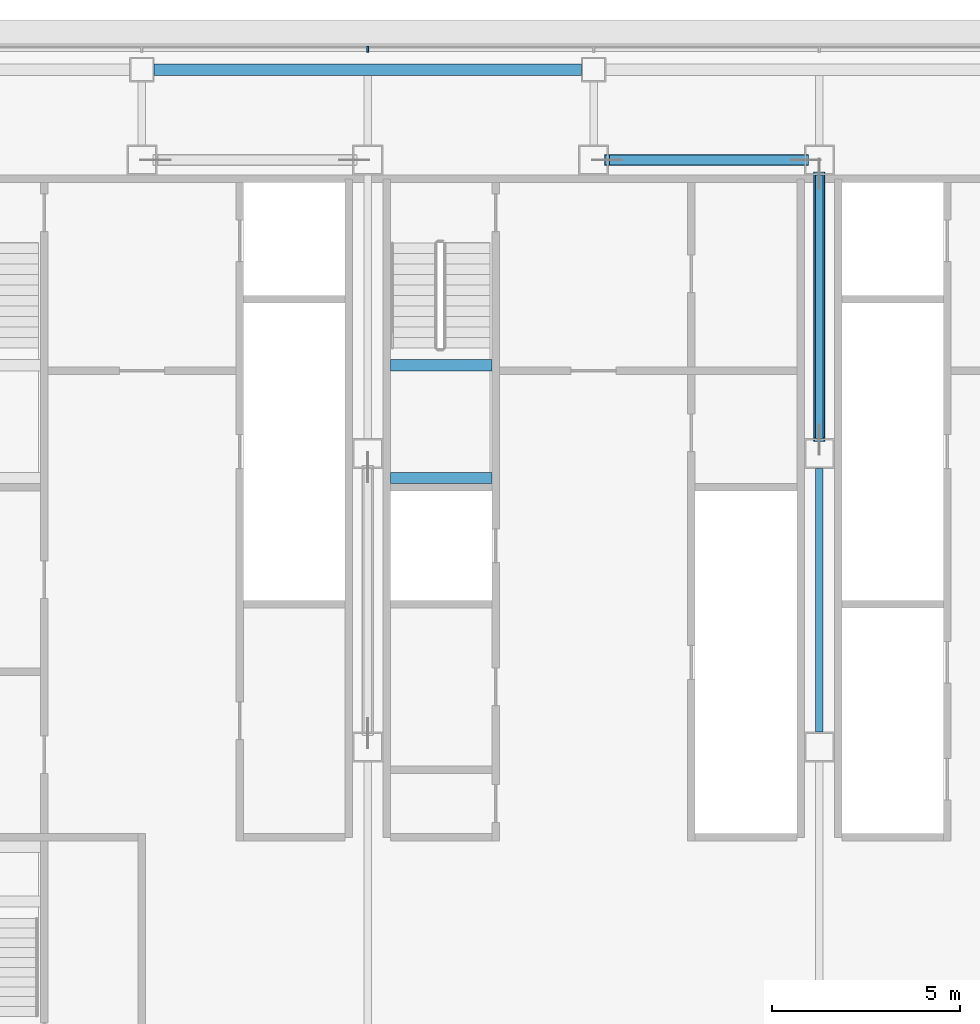
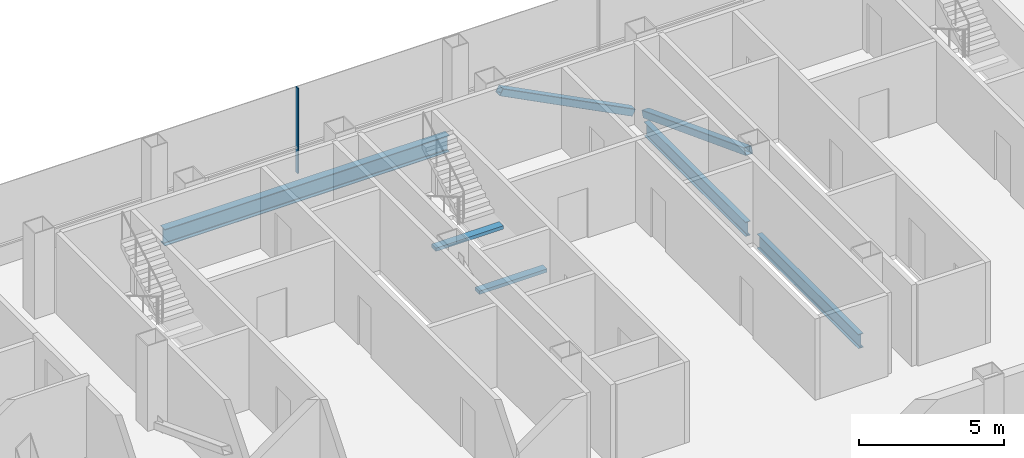
# One storey, part 13 of 27: 5 beams, 3 members, 1 element without a shape of its own.
"""IFC4 building model written with IfcOpenShell, lengths in metres."""

from ifc_helpers import new_model, si_unit, direction, frame, origin, origin_2d, place, context, subcontext, project, spatial, rectangle, hollow_rectangle, i_section, extrude, material, material_profile, profile_set, type_object, element, aggregate, save


model = new_model("IFC4")

# Units and contexts
model_context = context("Model", 3, precision=1e-05, world=origin(), true_north=direction((0.0, 1.0)))
body_context = subcontext(model_context, "Body", "Model", "MODEL_VIEW")
ifc_project = project(units=[si_unit("LENGTHUNIT", "METRE"), si_unit("AREAUNIT", "SQUARE_METRE"), si_unit("VOLUMEUNIT", "CUBIC_METRE"), si_unit("PLANEANGLEUNIT", "RADIAN"), si_unit("MASSUNIT", "GRAM", prefix="KILO")], contexts=[model_context])

# Site, building, storey
site_placement = place(None, origin())
site = spatial("IfcSite", under=ifc_project, at=site_placement, CompositionType="ELEMENT")
building_placement = place(site_placement, origin())
building = spatial("IfcBuilding", under=site, at=building_placement, Name="Sorahane Residences", CompositionType="ELEMENT")
storey_placement = place(building_placement, frame((0.0, 0.0, 226.199951171875)))
storey = spatial("IfcBuildingStorey", under=building, at=storey_placement, Name="L53", CompositionType="ELEMENT", Elevation=226.199951171875)

# Members
ifc_material_1 = material(Name="Steel Q355B", Category="steel")
ifc_material_profile_1 = material_profile(ifc_material_1, hollow_rectangle(XDim=0.300048828125, YDim=0.300048828125, WallThickness=0.01611328125, InnerFilletRadius=0.008056640625, OuterFilletRadius=0.02392578125, at=origin_2d()), Name="RHS 300x300x16")
ifc_profile_set_1 = profile_set([ifc_material_profile_1], Name="Steel Q355B")
member_type_1 = type_object("IfcMemberType", Name="Core brace RHS 300x300x16 Q355B", PredefinedType="BRACE", material=ifc_profile_set_1)
member_1_placement = place(storey_placement, frame((29.64111328125, 45.60009765625, 0.12890625), z_axis=(-0.889590046837, 0.0, 0.45675983686), x_axis=(0.0, -1.0, 0.0)))
element("IfcMember", 1, at=member_1_placement, inside=storey, type_object=member_type_1, Name="Core brace L53 y45.6-4", PredefinedType="BRACE", context=body_context, shape_type="SweptSolid", body=[
    extrude(hollow_rectangle(XDim=0.300048828125, YDim=0.300048828125, WallThickness=0.01611328125, InnerFilletRadius=0.008056640625, OuterFilletRadius=0.02392578125, at=origin_2d()), origin(), (0.0, 0.0, 1.0), 5.937744140625),
])
member_2_placement = place(storey_placement, frame((30.0, 45.232177734375, 0.1376953125), z_axis=(0.0, -0.934335722983, 0.356394103147), x_axis=(1.0, 0.0, 0.0)))
element("IfcMember", 2, at=member_2_placement, inside=storey, type_object=member_type_1, Name="Core brace L53 x30-2", PredefinedType="BRACE", context=body_context, shape_type="SweptSolid", body=[
    extrude(hollow_rectangle(XDim=0.300048828125, YDim=0.300048828125, WallThickness=0.01611328125, InnerFilletRadius=0.008056640625, OuterFilletRadius=0.02392578125, at=origin_2d()), origin(), (0.0, 0.0, 1.0), 7.560791015625),
])

# Curtain wall, member
ifc_material_2 = material(Name="Dark low-e glass and black anodised aluminium", Category="aluminium")
curtain_wall_type = type_object("IfcCurtainWallType", Name="Curtain wall CW-1 Typical unitised wall", PredefinedType="NOTDEFINED", material=ifc_material_2)
curtain_wall_placement = place(storey_placement, origin())
curtain_wall = element("IfcCurtainWall", 3, at=curtain_wall_placement, inside=storey, type_object=curtain_wall_type, Name="CW-1 curtain wall L53 N1", PredefinedType="NOTDEFINED")
ifc_material_3 = material(Name="Black anodised aluminium", Category="aluminium")
ifc_material_profile_2 = material_profile(ifc_material_3, rectangle(XDim=0.159912109375, YDim=0.050048828125, at=origin_2d()), Name="Curtain wall mullion CW-1 black anodised aluminium 50x160")
ifc_profile_set_2 = profile_set([ifc_material_profile_2], Name="Black anodised aluminium")
member_type_2 = type_object("IfcMemberType", Name="Curtain wall mullion CW-1 black anodised aluminium 50x160", PredefinedType="MULLION", material=ifc_profile_set_2)
member_3_placement = place(storey_placement, frame((18.0, 48.5400390625, -0.179931640625), z_axis=(0.0, 0.0, 1.0), x_axis=(0.0, 1.0, 0.0)))
member_3 = element("IfcMember", 4, at=member_3_placement, type_object=member_type_2, Name="CW-1 mullion L53 N1.6", PredefinedType="MULLION", context=body_context, shape_type="SweptSolid", body=[
    extrude(rectangle(XDim=0.159912109375, YDim=0.050048828125, at=origin_2d()), origin(), (0.0, 0.0, 1.0), 3.60009765625),
])
aggregate(curtain_wall, [member_3])

# Beams
ifc_material_4 = material(Name="Concrete C40", Category="concrete")
ifc_material_profile_3 = material_profile(ifc_material_4, rectangle(XDim=0.300048828125, YDim=0.139892578125, at=origin_2d()), Name="300x140")
ifc_profile_set_3 = profile_set([ifc_material_profile_3], Name="Concrete C40")
beam_type_1 = type_object("IfcBeamType", Name="RC landing beam 300 x 140 Concrete C40", PredefinedType="BEAM", material=ifc_profile_set_3)
for number, where, z_axis, x_axis, name in (
    (5, (18.60009765625, 37.14990234375, 1.530029296875), (1.0, 0.0, 0.0), (0.0, 1.0, 0.0), "Landing beam"),
    (6, (18.60009765625, 40.14990234375, 1.530029296875), (1.0, 0.0, 0.0), (0.0, 1.0, 0.0), "Landing beam"),
):
    element("IfcBeam", number, at=place(storey_placement, frame(where, z_axis=z_axis, x_axis=x_axis)), inside=storey, type_object=beam_type_1, Name=name, PredefinedType="BEAM", context=body_context, shape_type="SweptSolid", body=[
        extrude(rectangle(XDim=0.300048828125, YDim=0.139892578125, at=origin_2d()), origin(), (0.0, 0.0, 1.0), 2.699951171875),
    ])
ifc_material_5 = material(Name="Steel Q355B", Category="steel")
ifc_material_profile_4 = material_profile(ifc_material_5, i_section(OverallWidth=0.199951171875, OverallDepth=0.60009765625, WebThickness=0.010986328125, FlangeThickness=0.01708984375, FilletRadius=0.02392578125, at=origin_2d()), Name="HN 600x200x11x17")
ifc_profile_set_4 = profile_set([ifc_material_profile_4], Name="Steel Q355B")
beam_type_2 = type_object("IfcBeamType", Name="Steel floor beam HN 600x200x11x17 Q355B", PredefinedType="BEAM", material=ifc_profile_set_4)
for number, where, z_axis, x_axis, name in (
    (7, (30.0, 30.39990234375, -0.47998046875), (0.0, 1.0, 0.0), (-1.0, 0.0, 0.0), "Beam L53 047"),
    (8, (30.0, 38.199951171875, -0.47998046875), (0.0, 1.0, 0.0), (-1.0, 0.0, 0.0), "Beam L53 048"),
):
    element("IfcBeam", number, at=place(storey_placement, frame(where, z_axis=z_axis, x_axis=x_axis)), inside=storey, type_object=beam_type_2, Name=name, PredefinedType="BEAM", context=body_context, shape_type="SweptSolid", body=[
        extrude(i_section(OverallWidth=0.199951171875, OverallDepth=0.60009765625, WebThickness=0.010986328125, FlangeThickness=0.01708984375, FilletRadius=0.02392578125, at=origin_2d()), origin(), (0.0, 0.0, 1.0), 7.0),
    ])
ifc_material_6 = material(Name="Steel Q355B", Category="steel")
ifc_material_profile_5 = material_profile(ifc_material_6, i_section(OverallWidth=0.300048828125, OverallDepth=0.699951171875, WebThickness=0.012939453125, FlangeThickness=0.02392578125, FilletRadius=0.028076171875, at=origin_2d()), Name="HN 700x300x13x24")
ifc_profile_set_5 = profile_set([ifc_material_profile_5], Name="Steel Q355B")
beam_type_3 = type_object("IfcBeamType", Name="Steel floor beam HN 700x300x13x24 Q355B", PredefinedType="BEAM", material=ifc_profile_set_5)
beam_placement = place(storey_placement, frame((12.324951171875, 48.0, -0.530029296875), z_axis=(1.0, 0.0, 0.0), x_axis=(0.0, 1.0, 0.0)))
element("IfcBeam", 9, at=beam_placement, inside=storey, type_object=beam_type_3, Name="Beam L53 017", PredefinedType="BEAM", context=body_context, shape_type="SweptSolid", body=[
    extrude(i_section(OverallWidth=0.300048828125, OverallDepth=0.699951171875, WebThickness=0.012939453125, FlangeThickness=0.02392578125, FilletRadius=0.028076171875, at=origin_2d()), origin(), (0.0, 0.0, 1.0), 11.35009765625),
])

save(model, "model.ifc")
